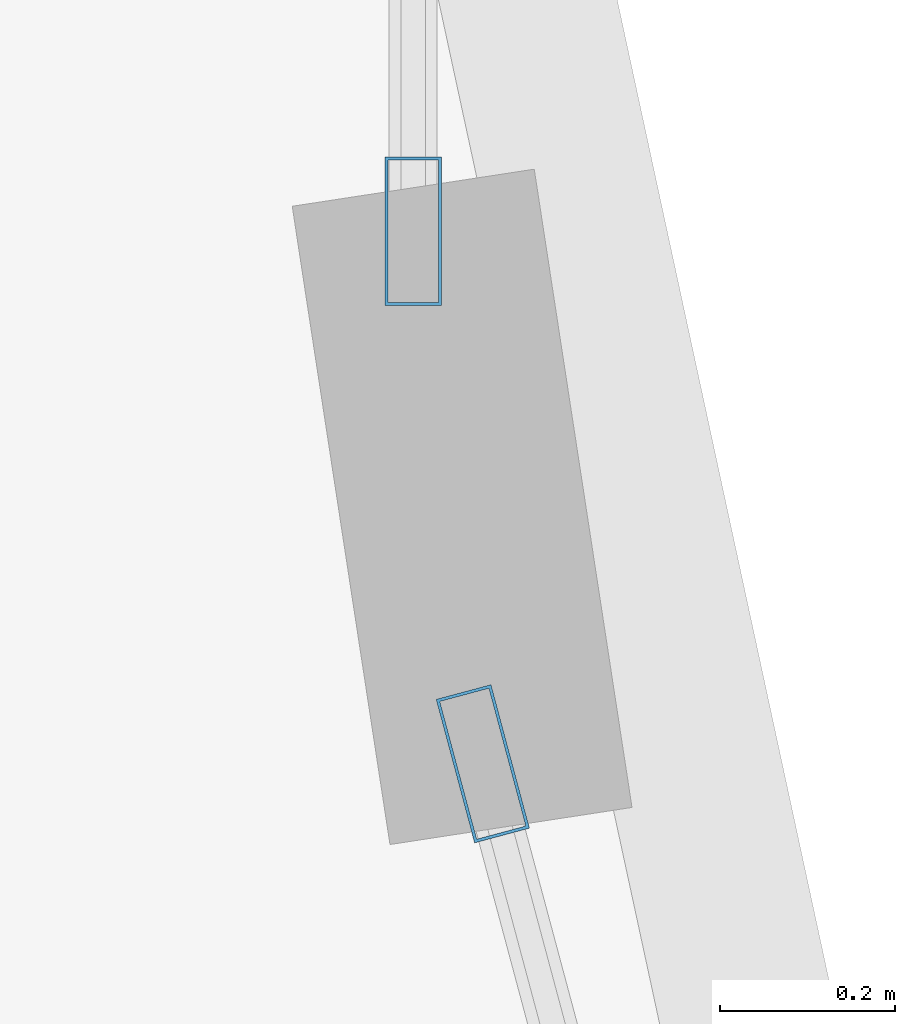
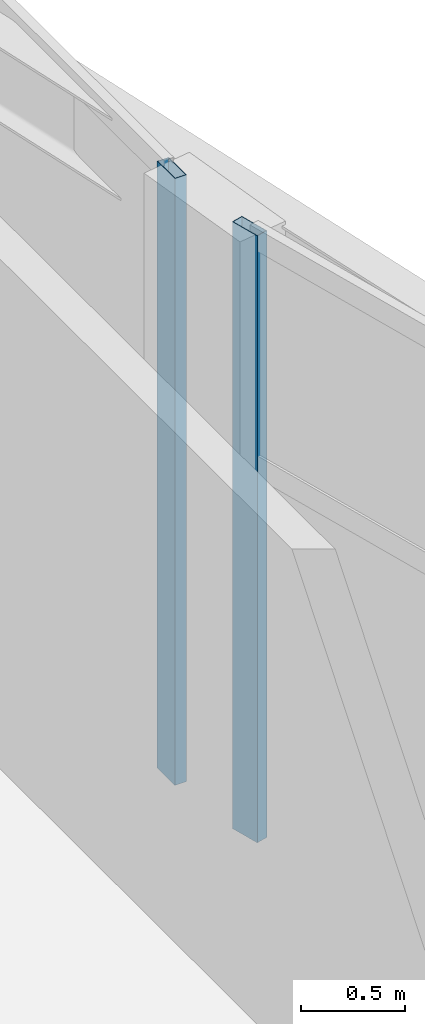
# One storey, part 19 of 29: 2 members, 2 elements without a shape of their own.
"""IFC4 building model written with IfcOpenShell, lengths in metres."""

from ifc_helpers import new_model, si_unit, direction, frame, origin, origin_2d, place, context, subcontext, project, spatial, hollow_rectangle, extrude, material, layer, layer_set, material_profile, profile_set, type_object, element, aggregate, save


model = new_model("IFC4")

# Units and contexts
model_context = context("Model", 3, precision=1e-05, world=origin(), true_north=direction((0.0, 1.0)))
body_context = subcontext(model_context, "Body", "Model", "MODEL_VIEW")
ifc_project = project(units=[si_unit("LENGTHUNIT", "METRE"), si_unit("AREAUNIT", "SQUARE_METRE"), si_unit("VOLUMEUNIT", "CUBIC_METRE"), si_unit("PLANEANGLEUNIT", "RADIAN"), si_unit("MASSUNIT", "GRAM", prefix="KILO")], contexts=[model_context])

# Site, building, storey
site_placement = place(None, origin())
site = spatial("IfcSite", under=ifc_project, at=site_placement, CompositionType="ELEMENT")
building_placement = place(site_placement, origin())
building = spatial("IfcBuilding", under=site, at=building_placement, Name="Calvorn Quay Hotel", CompositionType="ELEMENT")
storey_placement = place(building_placement, frame((0.0, 0.0, 251.39990234375)))
storey = spatial("IfcBuildingStorey", under=building, at=storey_placement, Name="L62", CompositionType="ELEMENT", Elevation=251.39990234375)

# Curtain wall, member
ifc_material_1 = material(Name="Champagne Bronze Anodised Aluminium and Low-E Glass", Category="aluminium")
ifc_layer = layer(ifc_material_1, 0.219970703125)
ifc_layer_set = layer_set([ifc_layer], Name="CW-SYS-Z4")
curtain_wall_type = type_object("IfcCurtainWallType", Name="CW-SYS-Z4", PredefinedType="NOTDEFINED", material=ifc_layer_set)
curtain_wall_1_placement = place(storey_placement, origin())
curtain_wall_1 = element("IfcCurtainWall", 1, at=curtain_wall_1_placement, inside=storey, type_object=curtain_wall_type, Name="Inner Court Curtain Wall L62-IC1", PredefinedType="NOTDEFINED")
ifc_material_2 = material(Name="Champagne Bronze Anodised Aluminium 6063-T6", Category="aluminium")
ifc_material_profile = material_profile(ifc_material_2, hollow_rectangle(XDim=0.06494140625, YDim=0.169921875, WallThickness=0.00341796875, at=origin_2d()), Name="ALU-M170x65x3.5")
ifc_profile_set = profile_set([ifc_material_profile], Name="Champagne Bronze Anodised Aluminium 6063-T6")
member_type = type_object("IfcMemberType", Name="CW-SYS-Z4-MUL", PredefinedType="MULLION", material=ifc_profile_set)
member_1_placement = place(storey_placement, frame((17.9296875, 38.10107421875, 0.0), z_axis=(0.0, 0.0, 1.0), x_axis=(-0.96593652056, -0.25877913024, 0.0)))
member_1 = element("IfcMember", 2, at=member_1_placement, type_object=member_type, Name="CW-L62-IC1 mullion 2", PredefinedType="MULLION", context=body_context, shape_type="SweptSolid", body=[
    extrude(hollow_rectangle(XDim=0.06494140625, YDim=0.169921875, WallThickness=0.00341796875, at=origin_2d()), origin(), (0.0, 0.0, 1.0), 3.56005859375),
])
aggregate(curtain_wall_1, [member_1])

curtain_wall_2_placement = place(storey_placement, origin())
curtain_wall_2 = element("IfcCurtainWall", 3, at=curtain_wall_2_placement, inside=storey, type_object=curtain_wall_type, Name="Inner Court Curtain Wall L62-IC2", PredefinedType="NOTDEFINED")
member_2_placement = place(storey_placement, frame((17.85009765625, 38.7099609375, 0.0), z_axis=(0.0, 0.0, 1.0), x_axis=(-1.0, 0.0, 0.0)))
member_2 = element("IfcMember", 4, at=member_2_placement, type_object=member_type, Name="CW-L62-IC2 mullion 1", PredefinedType="MULLION", context=body_context, shape_type="SweptSolid", body=[
    extrude(hollow_rectangle(XDim=0.06494140625, YDim=0.169921875, WallThickness=0.00341796875, at=origin_2d()), origin(), (0.0, 0.0, 1.0), 3.56005859375),
])
aggregate(curtain_wall_2, [member_2])

save(model, "model.ifc")
